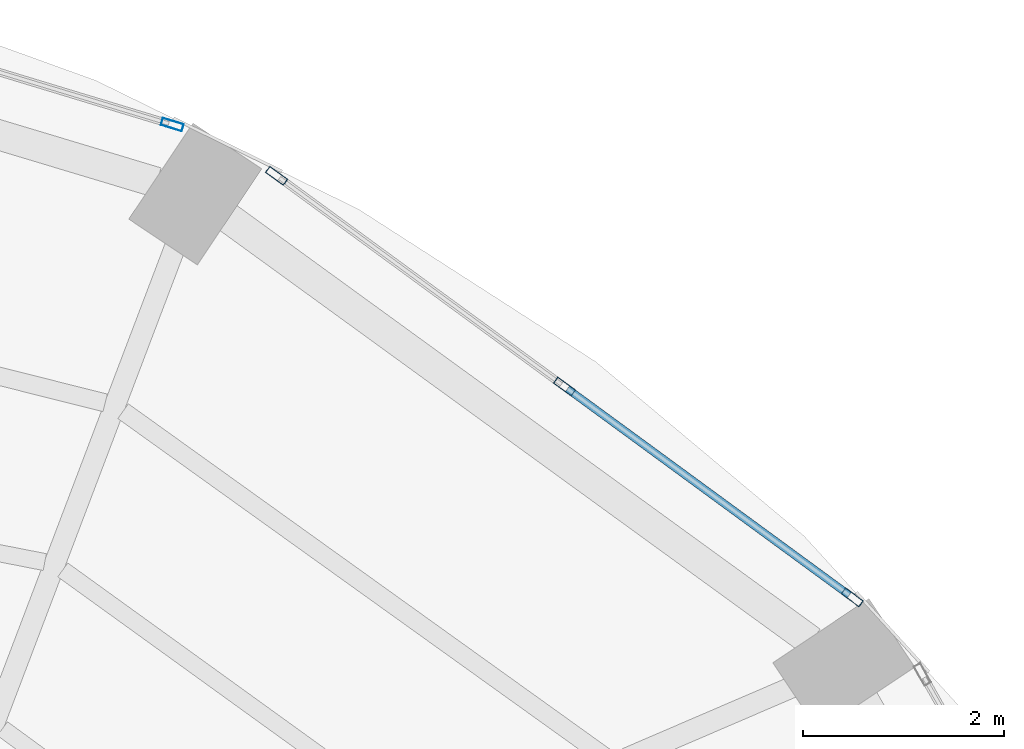
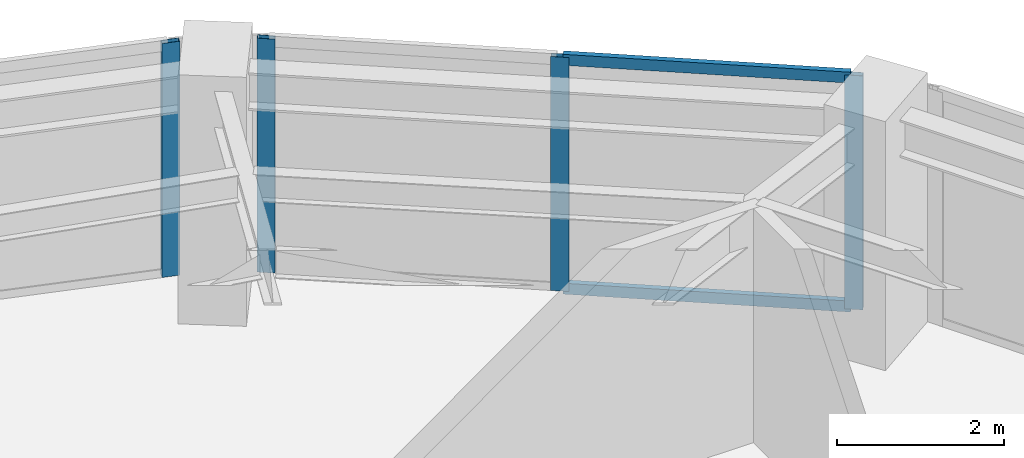
# One storey, part 14 of 20: 6 members, 2 elements without a shape of their own.
"""IFC4 building model written with IfcOpenShell, lengths in metres."""

from ifc_helpers import new_model, si_unit, direction, frame, origin, origin_2d, place, context, subcontext, project, spatial, hollow_rectangle, extrude, material, layer, layer_set, material_profile, profile_set, type_object, element, aggregate, save


model = new_model("IFC4")

# Units and contexts
model_context = context("Model", 3, precision=1e-05, world=origin(), true_north=direction((0.0, 1.0)))
body_context = subcontext(model_context, "Body", "Model", "MODEL_VIEW")
ifc_project = project(units=[si_unit("LENGTHUNIT", "METRE"), si_unit("AREAUNIT", "SQUARE_METRE"), si_unit("VOLUMEUNIT", "CUBIC_METRE"), si_unit("PLANEANGLEUNIT", "RADIAN"), si_unit("MASSUNIT", "GRAM", prefix="KILO")], contexts=[model_context])

# Site, building, storey
site_placement = place(None, origin())
site = spatial("IfcSite", under=ifc_project, at=site_placement, CompositionType="ELEMENT")
building_placement = place(site_placement, origin())
building = spatial("IfcBuilding", under=site, at=building_placement, Name="Lazwardi Medical Tower", CompositionType="ELEMENT")
storey_placement = place(building_placement, frame((0.0, 0.0, 174.76806640625)))
storey = spatial("IfcBuildingStorey", under=building, at=storey_placement, Name="L45", CompositionType="ELEMENT", Elevation=174.76806640625)

# Curtain wall, members
ifc_material_1 = material(Name="Anodised bronze aluminium and solar control glazing", Category="aluminium")
ifc_layer = layer(ifc_material_1, 0.195068359375)
ifc_layer_set = layer_set([ifc_layer], Name="Anodised bronze aluminium and solar control glazing")
curtain_wall_type = type_object("IfcCurtainWallType", Name="CW-SYS-03", PredefinedType="NOTDEFINED", material=ifc_layer_set)
curtain_wall_1_placement = place(storey_placement, origin())
curtain_wall_1 = element("IfcCurtainWall", 1, at=curtain_wall_1_placement, inside=storey, type_object=curtain_wall_type, Name="L45 Unitised bronze curtain wall CW-03", PredefinedType="NOTDEFINED")
ifc_material_2 = material(Name="Anodised bronze aluminium", Category="aluminium")
ifc_material_profile_1 = material_profile(ifc_material_2, hollow_rectangle(XDim=0.074951171875, YDim=0.219970703125, WallThickness=0.00390625, at=origin_2d()), Name="ALU-MULLION 220x75x4")
ifc_profile_set_1 = profile_set([ifc_material_profile_1], Name="Anodised bronze aluminium")
member_type_1 = type_object("IfcMemberType", Name="CW-MUL-01", PredefinedType="MULLION", material=ifc_profile_set_1)
member_1_placement = place(storey_placement, frame((55.519775390625, 40.5029296875, 0.0), z_axis=(0.0, 0.0, 1.0), x_axis=(-0.590833862635, -0.806793249082, 0.0)))
member_1 = element("IfcMember", 2, at=member_1_placement, type_object=member_type_1, Name="CW-03 mullion 1", PredefinedType="MULLION", context=body_context, shape_type="SweptSolid", body=[
    extrude(hollow_rectangle(XDim=0.074951171875, YDim=0.219970703125, WallThickness=0.00390625, at=origin_2d()), origin(), (0.0, 0.0, 1.0), 3.427978515625),
])
member_2_placement = place(storey_placement, frame((52.65771484375, 42.598876953125, 0.0), z_axis=(0.0, 0.0, 1.0), x_axis=(-0.590833862635, -0.806793249082, 0.0)))
member_2 = element("IfcMember", 3, at=member_2_placement, type_object=member_type_1, Name="CW-03 mullion 2", PredefinedType="MULLION", context=body_context, shape_type="SweptSolid", body=[
    extrude(hollow_rectangle(XDim=0.074951171875, YDim=0.219970703125, WallThickness=0.00390625, at=origin_2d()), origin(), (0.0, 0.0, 1.0), 3.427978515625),
])
member_3_placement = place(storey_placement, frame((49.795654296875, 44.69482421875, 0.0), z_axis=(0.0, 0.0, 1.0), x_axis=(-0.590833862635, -0.806793249082, 0.0)))
member_3 = element("IfcMember", 4, at=member_3_placement, type_object=member_type_1, Name="CW-03 mullion 3", PredefinedType="MULLION", context=body_context, shape_type="SweptSolid", body=[
    extrude(hollow_rectangle(XDim=0.074951171875, YDim=0.219970703125, WallThickness=0.00390625, at=origin_2d()), origin(), (0.0, 0.0, 1.0), 3.427978515625),
])

# Curtain wall, member
curtain_wall_2_placement = place(storey_placement, origin())
curtain_wall_2 = element("IfcCurtainWall", 5, at=curtain_wall_2_placement, inside=storey, type_object=curtain_wall_type, Name="L45 Unitised bronze curtain wall CW-03", PredefinedType="NOTDEFINED")
member_4_placement = place(storey_placement, frame((48.758056640625, 45.203369140625, 0.0), z_axis=(0.0, 0.0, 1.0), x_axis=(-0.290280785441, -0.956941516292, 0.0)))
member_4 = element("IfcMember", 6, at=member_4_placement, type_object=member_type_1, Name="CW-03 mullion 1", PredefinedType="MULLION", context=body_context, shape_type="SweptSolid", body=[
    extrude(hollow_rectangle(XDim=0.074951171875, YDim=0.219970703125, WallThickness=0.00390625, at=origin_2d()), origin(), (0.0, 0.0, 1.0), 3.427978515625),
])
aggregate(curtain_wall_2, [member_4])

# Member
ifc_material_profile_2 = material_profile(ifc_material_2, hollow_rectangle(XDim=0.074951171875, YDim=0.159912109375, WallThickness=0.00390625, at=origin_2d()), Name="ALU-TRANSOM 160x75x4")
ifc_profile_set_2 = profile_set([ifc_material_profile_2], Name="Anodised bronze aluminium")
member_type_2 = type_object("IfcMemberType", Name="CW-TRN-01", PredefinedType="USERDEFINED", material=ifc_profile_set_2)
member_5_placement = place(storey_placement, frame((55.489501953125, 40.525146484375, 0.037353515625), z_axis=(-0.806807161185, 0.590814864962, 0.0), x_axis=(-0.590814864962, -0.806807161185, 0.0)))
member_5 = element("IfcMember", 7, at=member_5_placement, type_object=member_type_2, Name="CW-03 transom 1.1", ObjectType="TRANSOM", PredefinedType="USERDEFINED", context=body_context, shape_type="SweptSolid", body=[
    extrude(hollow_rectangle(XDim=0.074951171875, YDim=0.159912109375, WallThickness=0.00390625, at=origin_2d()), origin(), (0.0, 0.0, 1.0), 3.472412109375),
])

member_6_placement = place(storey_placement, frame((55.489501953125, 40.525146484375, 3.390380859375), z_axis=(-0.806807161185, 0.590814864962, 0.0), x_axis=(-0.590814864962, -0.806807161185, 0.0)))
member_6 = element("IfcMember", 8, at=member_6_placement, type_object=member_type_2, Name="CW-03 transom 1.2", ObjectType="TRANSOM", PredefinedType="USERDEFINED", context=body_context, shape_type="SweptSolid", body=[
    extrude(hollow_rectangle(XDim=0.074951171875, YDim=0.159912109375, WallThickness=0.00390625, at=origin_2d()), origin(), (0.0, 0.0, 1.0), 3.472412109375),
])

aggregate(curtain_wall_1, [member_1, member_2, member_3, member_5, member_6])

save(model, "model.ifc")
